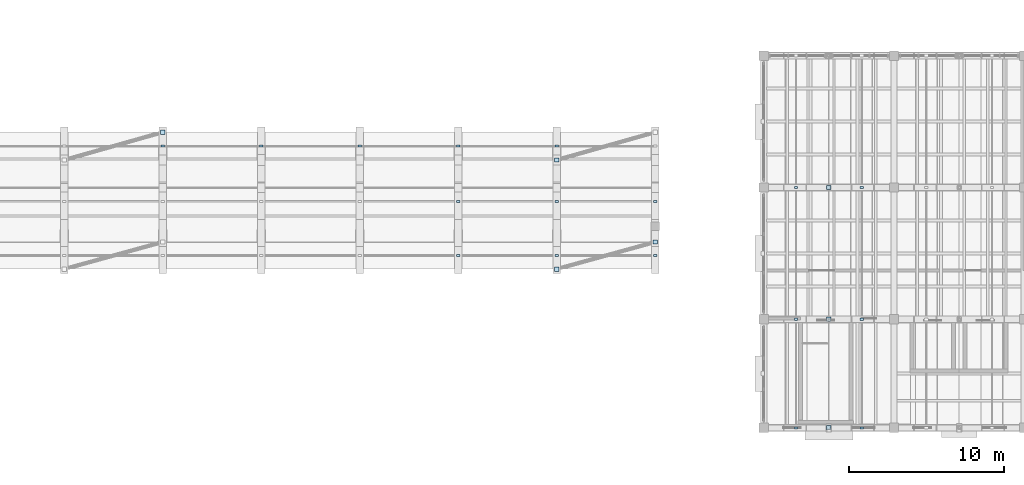
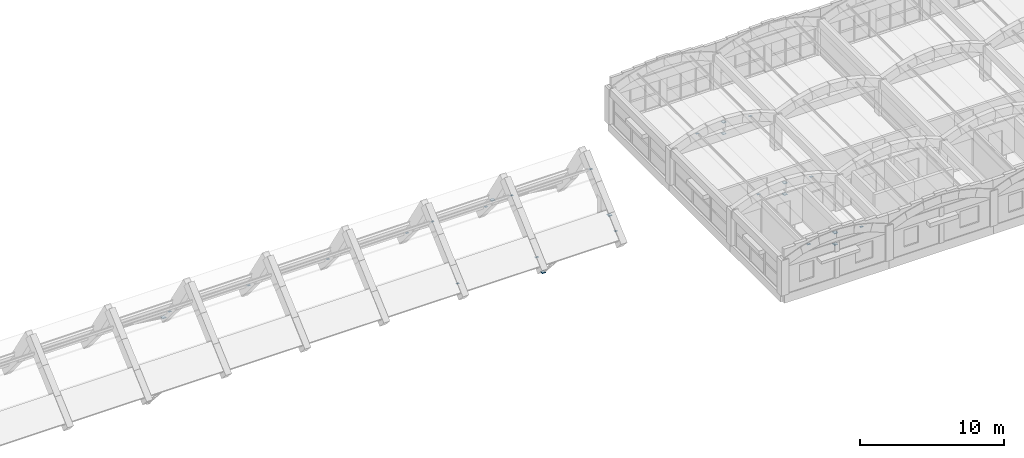
# One storey, part 25 of 40: 27 plates.
"""IFC4 building model written with IfcOpenShell, lengths in metres."""

from ifc_helpers import new_model, si_unit, direction, frame, origin, origin_2d, place, context, subcontext, project, spatial, rectangle, extrude, material, layer, layer_set, type_object, element, save


model = new_model("IFC4")

# Units and contexts
model_context = context("Model", 3, precision=1e-05, world=origin(), true_north=direction((0.0, 1.0)))
body_context = subcontext(model_context, "Body", "Model", "MODEL_VIEW")
ifc_project = project(units=[si_unit("LENGTHUNIT", "METRE"), si_unit("AREAUNIT", "SQUARE_METRE"), si_unit("VOLUMEUNIT", "CUBIC_METRE"), si_unit("PLANEANGLEUNIT", "RADIAN"), si_unit("MASSUNIT", "GRAM", prefix="KILO")], contexts=[model_context])

# Site, building, storey
site_placement = place(None, origin())
site = spatial("IfcSite", under=ifc_project, at=site_placement, CompositionType="ELEMENT")
building_placement = place(site_placement, origin())
building = spatial("IfcBuilding", under=site, at=building_placement, Name="Trellovar Central Fire Station", CompositionType="ELEMENT")
storey_placement = place(building_placement, frame((0.0, 0.0, 12.75)))
storey = spatial("IfcBuildingStorey", under=building, at=storey_placement, Name="L04", CompositionType="ELEMENT", Elevation=12.75)

# Plates
ifc_material_1 = material(Name="Steel ASTM A36", Category="steel")
ifc_layer_1 = layer(ifc_material_1, 0.02001953125)
ifc_layer_set_1 = layer_set([ifc_layer_1], Name="Steel ASTM A36")
plate_type_1 = type_object("IfcPlateType", Name="PLT-EP2", PredefinedType="SHEET", material=ifc_layer_set_1)
for number, where, z_axis, x_axis, name in (
    (1, (109.699951171875, 9.0, 2.68994140625), (0.0, 0.0, 1.0), (1.0, 0.0, 0.0), "HSS end-cap plate 31"),
    (2, (109.699951171875, 9.0, 3.669921875), (0.0, 0.0, 1.0), (1.0, 0.0, 0.0), "HSS end-cap plate 32"),
    (3, (109.699951171875, 16.0, 2.68994140625), (0.0, 0.0, 1.0), (1.0, 0.0, 0.0), "HSS end-cap plate 33"),
    (4, (109.699951171875, 16.0, 3.669921875), (0.0, 0.0, 1.0), (1.0, 0.0, 0.0), "HSS end-cap plate 34"),
    (5, (109.699951171875, 24.5, 2.68994140625), (0.0, 0.0, 1.0), (1.0, 0.0, 0.0), "HSS end-cap plate 35"),
    (6, (109.699951171875, 24.5, 3.669921875), (0.0, 0.0, 1.0), (1.0, 0.0, 0.0), "HSS end-cap plate 36"),
    (7, (66.75, 28.066650390625, -0.052734375), (0.0, 0.0, 1.0), (1.0, 0.0, 0.0), "HSS end-cap plate 257"),
    (8, (92.14990234375, 19.239990234375, 0.239990234375), (0.0, 0.0, 1.0), (1.0, 0.0, 0.0), "HSS end-cap plate 294"),
    (9, (98.5, 20.98681640625, 1.806640625), (0.0, 0.0, 1.0), (1.0, 0.0, 0.0), "HSS end-cap plate 295"),
    (10, (92.14990234375, 26.273193359375, 2.1103515625), (0.0, 0.0, 1.0), (1.0, 0.0, 0.0), "HSS end-cap plate 298"),
):
    element("IfcPlate", number, at=place(storey_placement, frame(where, z_axis=z_axis, x_axis=x_axis)), inside=storey, type_object=plate_type_1, Name=name, PredefinedType="SHEET", context=body_context, shape_type="SweptSolid", body=[
        extrude(rectangle(XDim=0.280029296875, YDim=0.280029296875, at=origin_2d()), origin(), (0.0, 0.0, 1.0), 0.02001953125),
    ])
ifc_material_2 = material(Name="Steel ASTM A36", Category="steel")
ifc_layer_2 = layer(ifc_material_2, 0.01611328125)
ifc_layer_set_2 = layer_set([ifc_layer_2], Name="Steel ASTM A36")
plate_type_2 = type_object("IfcPlateType", Name="PLT-EP4", PredefinedType="SHEET", material=ifc_layer_set_2)
for number, where, z_axis, x_axis, name in (
    (11, (107.580322265625, 9.0, 3.429443359375), (0.0, 0.0, 1.0), (1.0, 0.0, 0.0), "HSS end-cap plate 39"),
    (12, (107.580322265625, 16.0, 3.429443359375), (0.0, 0.0, 1.0), (1.0, 0.0, 0.0), "HSS end-cap plate 40"),
    (13, (107.580322265625, 24.5, 3.429443359375), (0.0, 0.0, 1.0), (1.0, 0.0, 0.0), "HSS end-cap plate 41"),
    (14, (111.819580078125, 9.0, 3.429443359375), (0.0, 0.0, 1.0), (1.0, 0.0, 0.0), "HSS end-cap plate 43"),
    (15, (111.819580078125, 16.0, 3.429443359375), (0.0, 0.0, 1.0), (1.0, 0.0, 0.0), "HSS end-cap plate 44"),
    (16, (111.819580078125, 24.5, 3.429443359375), (0.0, 0.0, 1.0), (1.0, 0.0, 0.0), "HSS end-cap plate 45"),
    (17, (66.75, 27.169921875, 0.99072265625), (0.0, 0.0, 1.0), (1.0, 0.0, 0.0), "HSS end-cap plate 255"),
    (18, (73.10009765625, 27.169921875, 0.99072265625), (0.0, 0.0, 1.0), (1.0, 0.0, 0.0), "HSS end-cap plate 268"),
    (19, (79.449951171875, 27.169921875, 0.99072265625), (0.0, 0.0, 1.0), (1.0, 0.0, 0.0), "HSS end-cap plate 277"),
    (20, (85.800048828125, 20.11328125, 0.9853515625), (0.0, 0.0, 1.0), (1.0, 0.0, 0.0), "HSS end-cap plate 281"),
    (21, (85.800048828125, 23.606689453125, 4.11865234375), (0.0, 0.0, 1.0), (1.0, 0.0, 0.0), "HSS end-cap plate 282"),
    (22, (85.800048828125, 27.169921875, 0.99072265625), (0.0, 0.0, 1.0), (1.0, 0.0, 0.0), "HSS end-cap plate 283"),
    (23, (92.14990234375, 20.11328125, 0.9853515625), (0.0, 0.0, 1.0), (1.0, 0.0, 0.0), "HSS end-cap plate 287"),
    (24, (92.14990234375, 23.606689453125, 4.11865234375), (0.0, 0.0, 1.0), (1.0, 0.0, 0.0), "HSS end-cap plate 288"),
    (25, (92.14990234375, 27.169921875, 0.99072265625), (0.0, 0.0, 1.0), (1.0, 0.0, 0.0), "HSS end-cap plate 289"),
    (26, (98.5, 20.11328125, 0.9853515625), (0.0, 0.0, 1.0), (1.0, 0.0, 0.0), "HSS end-cap plate 293"),
    (27, (98.5, 23.606689453125, 4.11865234375), (0.0, 0.0, 1.0), (1.0, 0.0, 0.0), "HSS end-cap plate 296"),
):
    element("IfcPlate", number, at=place(storey_placement, frame(where, z_axis=z_axis, x_axis=x_axis)), inside=storey, type_object=plate_type_2, Name=name, PredefinedType="SHEET", context=body_context, shape_type="SweptSolid", body=[
        extrude(rectangle(XDim=0.219970703125, YDim=0.139892578125, at=origin_2d()), origin(), (0.0, 0.0, 1.0), 0.01611328125),
    ])

save(model, "model.ifc")
